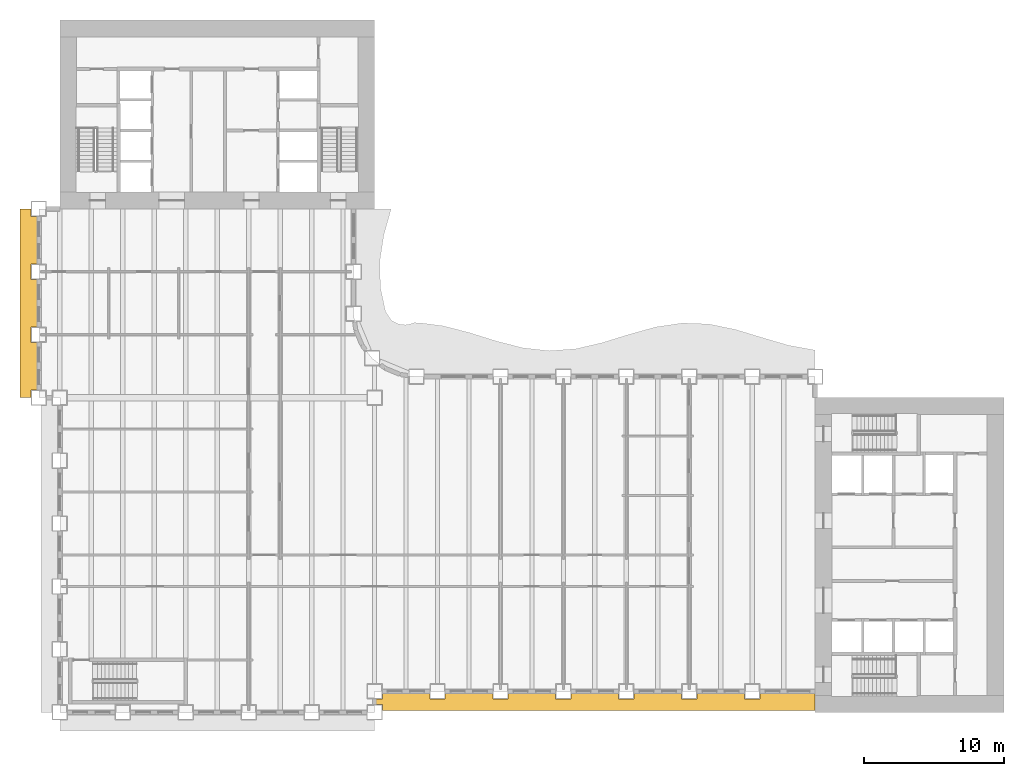
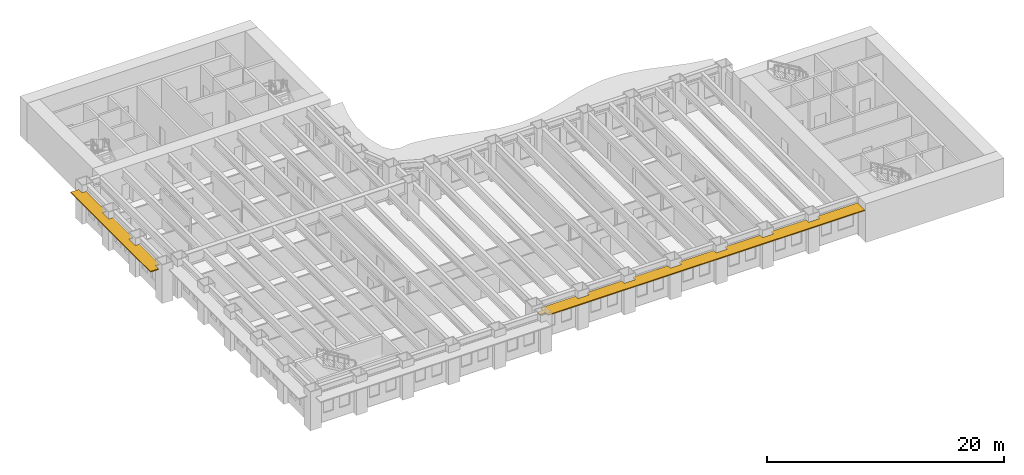
# One storey, part 11 of 15: 2 shading devices.
"""IFC4 building model written with IfcOpenShell, lengths in metres."""

from ifc_helpers import new_model, si_unit, direction, frame, origin, place, context, subcontext, project, spatial, polyline, outline, extrude, material, layer, layer_set, type_object, element, save


model = new_model("IFC4")

# Units and contexts
model_context = context("Model", 3, precision=1e-05, world=origin(), true_north=direction((0.0, 1.0)))
body_context = subcontext(model_context, "Body", "Model", "MODEL_VIEW")
ifc_project = project(units=[si_unit("LENGTHUNIT", "METRE"), si_unit("AREAUNIT", "SQUARE_METRE"), si_unit("VOLUMEUNIT", "CUBIC_METRE"), si_unit("PLANEANGLEUNIT", "RADIAN"), si_unit("MASSUNIT", "GRAM", prefix="KILO")], contexts=[model_context])

# Site, building, storey
site_placement = place(None, origin())
site = spatial("IfcSite", under=ifc_project, at=site_placement, CompositionType="ELEMENT")
building_placement = place(site_placement, origin())
building = spatial("IfcBuilding", under=site, at=building_placement, Name="Sennacour Bend Tower", CompositionType="ELEMENT")
storey_placement = place(building_placement, frame((0.0, 0.0, 65.0)))
storey = spatial("IfcBuildingStorey", under=building, at=storey_placement, Name="L14", CompositionType="ELEMENT", Elevation=65.0)

# Shading devices
ifc_material = material(Name="Bronze anodised aluminium", Category="aluminium")
ifc_layer = layer(ifc_material, 0.10009765625, Name="Bronze anodised aluminium", Category="aluminium")
ifc_layer_set = layer_set([ifc_layer], Name="Bronze anodised aluminium")
shading_device_type = type_object("IfcShadingDeviceType", Name="SUNSHADE BAND STRAIGHT", PredefinedType="USERDEFINED", material=ifc_layer_set)
shading_device_1_placement = place(storey_placement, frame((0.0, 0.0, 3.0439453125)))
element("IfcShadingDevice", 1, at=shading_device_1_placement, inside=storey, type_object=shading_device_type, Name="Sunshade band L14 A outer face", ObjectType="SUNSHADE", PredefinedType="USERDEFINED", context=body_context, shape_type="SweptSolid", body=[
    extrude(outline(polyline([(26.449951171875, 1.35009765625), (26.449951171875, 0.949951171875), (27.550048828125, 0.949951171875), (27.550048828125, 1.35009765625), (30.949951171875, 1.35009765625), (30.949951171875, 0.949951171875), (32.050048828125, 0.949951171875), (32.050048828125, 1.35009765625), (35.449951171875, 1.35009765625), (35.449951171875, 0.949951171875), (36.550048828125, 0.949951171875), (36.550048828125, 1.35009765625), (39.949951171875, 1.35009765625), (39.949951171875, 0.949951171875), (41.050048828125, 0.949951171875), (41.050048828125, 1.35009765625), (44.449951171875, 1.35009765625), (44.449951171875, 0.949951171875), (45.550048828125, 0.949951171875), (45.550048828125, 1.35009765625), (48.949951171875, 1.35009765625), (48.949951171875, 0.949951171875), (50.050048828125, 0.949951171875), (50.050048828125, 1.35009765625), (54.0, 1.35009765625), (54.0, 0.14990234375), (23.050048828125, 0.14990234375), (23.050048828125, 0.550048828125), (22.5, 0.550048828125), (22.5, 0.949951171875), (23.050048828125, 0.949951171875), (23.050048828125, 1.35009765625), (26.449951171875, 1.35009765625)])), origin(), (0.0, 0.0, 1.0), 0.10009765625),
])
shading_device_2_placement = place(storey_placement, frame((0.0, 0.0, 3.0439453125)))
element("IfcShadingDevice", 2, at=shading_device_2_placement, inside=storey, type_object=shading_device_type, Name="Sunshade band L14 B outer face", ObjectType="SUNSHADE", PredefinedType="USERDEFINED", context=body_context, shape_type="SweptSolid", body=[
    extrude(outline(polyline([(-1.64990234375, 32.050048828125), (-2.050048828125, 32.050048828125), (-2.050048828125, 30.949951171875), (-1.64990234375, 30.949951171875), (-1.64990234375, 27.550048828125), (-2.050048828125, 27.550048828125), (-2.050048828125, 26.449951171875), (-1.64990234375, 26.449951171875), (-1.64990234375, 23.050048828125), (-2.050048828125, 23.050048828125), (-2.050048828125, 22.5), (-2.85009765625, 22.5), (-2.85009765625, 36.0), (-2.050048828125, 36.0), (-2.050048828125, 35.449951171875), (-1.64990234375, 35.449951171875), (-1.64990234375, 32.050048828125)])), origin(), (0.0, 0.0, 1.0), 0.10009765625),
])

save(model, "model.ifc")
